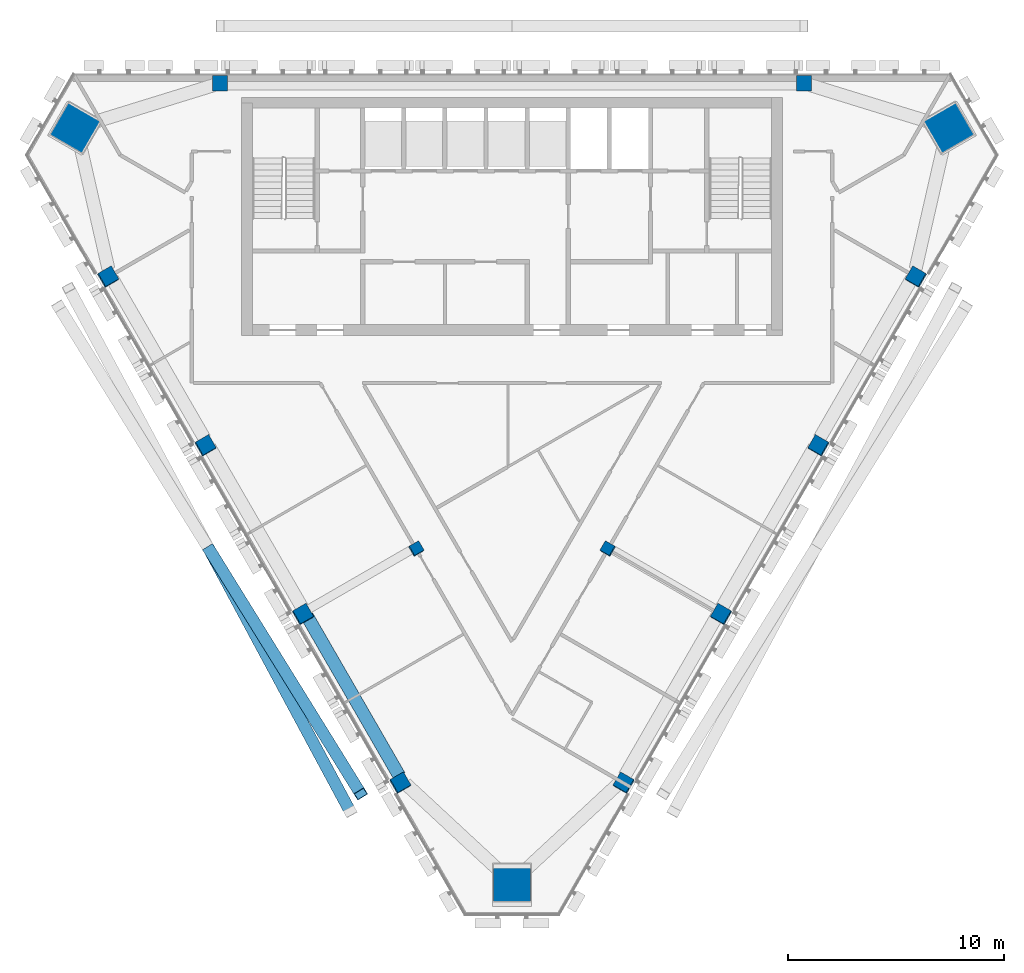
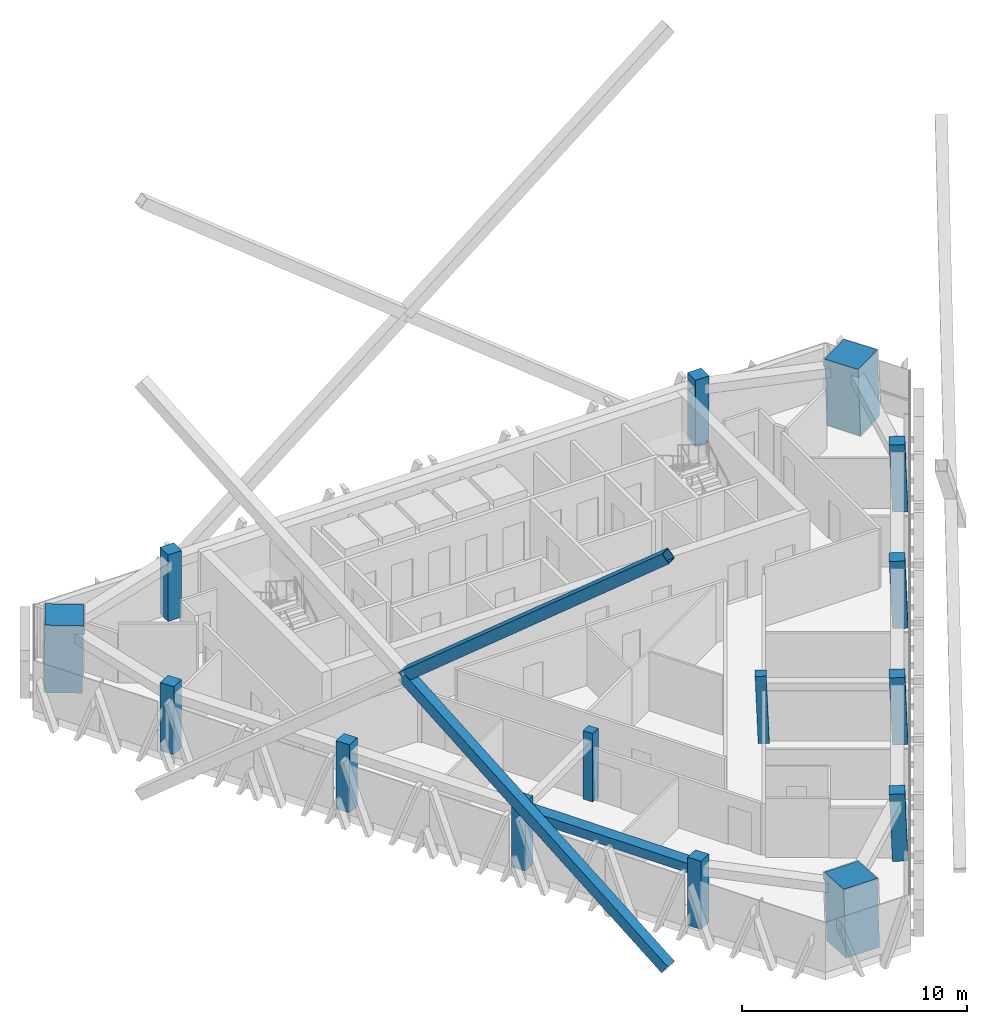
# One storey, part 1 of 12: 15 columns, 2 members, 1 beam.
"""IFC4 building model written with IfcOpenShell, lengths in metres."""

from ifc_helpers import new_model, si_unit, direction, frame, origin, origin_2d, place, context, subcontext, project, spatial, rectangle, hollow_rectangle, extrude, material, material_profile, profile_set, type_object, element, save


model = new_model("IFC4")

# Units and contexts
model_context = context("Model", 3, precision=1e-05, world=origin(), true_north=direction((0.0, 1.0)))
body_context = subcontext(model_context, "Body", "Model", "MODEL_VIEW")
ifc_project = project(units=[si_unit("LENGTHUNIT", "METRE"), si_unit("AREAUNIT", "SQUARE_METRE"), si_unit("VOLUMEUNIT", "CUBIC_METRE"), si_unit("PLANEANGLEUNIT", "RADIAN"), si_unit("MASSUNIT", "GRAM", prefix="KILO")], contexts=[model_context])

# Site, building, storey
site_placement = place(None, origin())
site = spatial("IfcSite", under=ifc_project, at=site_placement, CompositionType="ELEMENT")
building_placement = place(site_placement, origin())
building = spatial("IfcBuilding", under=site, at=building_placement, Name="Altiplano Prism Tower", CompositionType="ELEMENT")
storey_placement = place(building_placement, frame((0.0, 0.0, 291.39990234375)))
storey = spatial("IfcBuildingStorey", under=building, at=storey_placement, Name="L75", CompositionType="ELEMENT", Elevation=291.39990234375)

# Columns
ifc_material_1 = material(Name="Concrete C60/75", Category="concrete")
ifc_material_profile_1 = material_profile(ifc_material_1, rectangle(XDim=0.5, YDim=0.5, at=origin_2d()), Name="Inner column 500")
ifc_profile_set_1 = profile_set([ifc_material_profile_1], Name="Concrete C60/75")
column_type_1 = type_object("IfcColumnType", Name="Inner column 500", PredefinedType="COLUMN", material=ifc_profile_set_1)
for number, where, z_axis, x_axis, name in (
    (1, (80.567138671875, 83.02783203125, -0.01513671875), (0.02215369191, 0.038413282303, 0.999016333038), (-0.865361987983, -0.499673744646, 0.038402847096), "Inner column I13 L75"),
    (2, (89.432861328125, 83.02783203125, -0.01513671875), (-0.02215369191, 0.038413282303, 0.999016333038), (-0.500657411499, -0.865361524829, 0.022171776144), "Inner column I22 L75"),
):
    element("IfcColumn", number, at=place(storey_placement, frame(where, z_axis=z_axis, x_axis=x_axis)), inside=storey, type_object=column_type_1, Name=name, PredefinedType="COLUMN", context=body_context, shape_type="SweptSolid", body=[
        extrude(rectangle(XDim=0.5, YDim=0.5, at=origin_2d()), origin(), (0.0, 0.0, 1.0), 3.603759765625),
    ])
ifc_material_2 = material(Name="Concrete C70/85", Category="concrete")
ifc_material_profile_2 = material_profile(ifc_material_2, rectangle(XDim=1.719970703125, YDim=1.719970703125, at=origin_2d()), Name="Mega column infill 1800")
ifc_profile_set_2 = profile_set([ifc_material_profile_2], Name="Concrete C70/85")
column_type_2 = type_object("IfcColumnType", Name="Mega column infill 1800", PredefinedType="COLUMN", material=ifc_profile_set_2)
column_1_placement = place(storey_placement, frame((64.7626953125, 102.4677734375, 0.0), z_axis=(0.028334084323, 0.009218745139, 0.999555998633), x_axis=(-0.865481825265, 0.500544223539, 0.019917088604)))
element("IfcColumn", 3, at=column_1_placement, inside=storey, type_object=column_type_2, Name="Mega column M0 L75", PredefinedType="COLUMN", context=body_context, shape_type="SweptSolid", body=[
    extrude(rectangle(XDim=1.719970703125, YDim=1.719970703125, at=origin_2d()), origin(), (0.0, 0.0, 1.0), 3.601806640625),
])
column_2_placement = place(storey_placement, frame((85.0, 67.41552734375, 0.0), z_axis=(0.0, 0.058356907999, 0.998295783467), x_axis=(-1.0, 0.0, 0.0)))
element("IfcColumn", 4, at=column_2_placement, inside=storey, type_object=column_type_2, Name="Mega column M1 L75", PredefinedType="COLUMN", context=body_context, shape_type="SweptSolid", body=[
    extrude(rectangle(XDim=1.719970703125, YDim=1.719970703125, at=origin_2d()), origin(), (0.0, 0.0, 1.0), 3.606201171875),
])
column_3_placement = place(storey_placement, frame((105.2373046875, 102.4677734375, 0.0), z_axis=(-0.028334084323, 0.009218745139, 0.999555998633), x_axis=(0.500140863063, -0.865660441152, 0.022161175963)))
element("IfcColumn", 5, at=column_3_placement, inside=storey, type_object=column_type_2, Name="Mega column M2 L75", PredefinedType="COLUMN", context=body_context, shape_type="SweptSolid", body=[
    extrude(rectangle(XDim=1.719970703125, YDim=1.719970703125, at=origin_2d()), origin(), (0.0, 0.0, 1.0), 3.601806640625),
])
ifc_material_profile_3 = material_profile(ifc_material_1, rectangle(XDim=0.699951171875, YDim=0.699951171875, at=origin_2d()), Name="Perimeter column 700")
ifc_profile_set_3 = profile_set([ifc_material_profile_3], Name="Concrete C60/75")
column_type_3 = type_object("IfcColumnType", Name="Perimeter column 700", PredefinedType="COLUMN", material=ifc_profile_set_3)
for number, where, z_axis, x_axis, name in (
    (6, (98.5, 104.550048828125, 0.0), (0.0, 0.0, 1.0), (1.0, 0.0, 0.0), "Perimeter column P01 L75"),
    (7, (71.5, 104.550048828125, 0.0), (0.0, 0.0, 1.0), (1.0, 0.0, 0.0), "Perimeter column P04 L75"),
):
    element("IfcColumn", number, at=place(storey_placement, frame(where, z_axis=z_axis, x_axis=x_axis)), inside=storey, type_object=column_type_3, Name=name, PredefinedType="COLUMN", context=body_context, shape_type="SweptSolid", body=[
        extrude(rectangle(XDim=0.699951171875, YDim=0.699951171875, at=origin_2d()), origin(), (0.0, 0.0, 1.0), 3.60009765625),
    ])
for number, where, z_axis, x_axis, name in (
    (8, (66.327880859375, 95.591796875, 0.0), (0.022216970636, 0.038436722204, 0.999014026229), (-0.865846877157, -0.498829583864, 0.038447777287), "Perimeter column P11 L75"),
    (9, (70.827880859375, 87.797607421875, 0.0), (0.022216970636, 0.038436722204, 0.999014026229), (-0.865848438647, -0.498826878834, 0.038447707938), "Perimeter column P12 L75"),
    (10, (75.327880859375, 80.00341796875, 0.0), (0.022216970636, 0.038436722204, 0.999014026229), (-0.865845734386, -0.49883156352, 0.03844782804), "Perimeter column P13 L75"),
):
    element("IfcColumn", number, at=place(storey_placement, frame(where, z_axis=z_axis, x_axis=x_axis)), inside=storey, type_object=column_type_3, Name=name, PredefinedType="COLUMN", context=body_context, shape_type="SweptSolid", body=[
        extrude(rectangle(XDim=0.699951171875, YDim=0.699951171875, at=origin_2d()), origin(), (0.0, 0.0, 1.0), 3.582275390625),
    ])
for number, where, z_axis, x_axis, name in (
    (11, (79.827880859375, 72.208984375, 0.0), (0.022216912388, 0.03850477147, 0.999011407031), (-0.865463218872, -0.499491002638, 0.038498767027), "Perimeter column P14 L75"),
    (12, (90.172119140625, 72.208984375, 0.0), (-0.022216912388, 0.03850477147, 0.999011407031), (-0.500479595571, -0.865462951753, 0.022227315614), "Perimeter column P21 L75"),
):
    element("IfcColumn", number, at=place(storey_placement, frame(where, z_axis=z_axis, x_axis=x_axis)), inside=storey, type_object=column_type_3, Name=name, PredefinedType="COLUMN", context=body_context, shape_type="SweptSolid", body=[
        extrude(rectangle(XDim=0.699951171875, YDim=0.699951171875, at=origin_2d()), origin(), (0.0, 0.0, 1.0), 3.58251953125),
    ])
for number, where, z_axis, x_axis, name in (
    (13, (94.672119140625, 80.00341796875, 0.0), (-0.022216970636, 0.038436722204, 0.999014026229), (-0.499817537168, -0.865846227469, 0.022197745765), "Perimeter column P22 L75"),
    (14, (99.172119140625, 87.797607421875, 0.0), (-0.022216970636, 0.038436722204, 0.999014026229), (-0.499812852485, -0.865848926395, 0.022197953788), "Perimeter column P23 L75"),
    (15, (103.672119140625, 95.591796875, 0.0), (-0.022216970636, 0.038436722204, 0.999014026229), (-0.499815557513, -0.865847367986, 0.022197833672), "Perimeter column P24 L75"),
):
    element("IfcColumn", number, at=place(storey_placement, frame(where, z_axis=z_axis, x_axis=x_axis)), inside=storey, type_object=column_type_3, Name=name, PredefinedType="COLUMN", context=body_context, shape_type="SweptSolid", body=[
        extrude(rectangle(XDim=0.699951171875, YDim=0.699951171875, at=origin_2d()), origin(), (0.0, 0.0, 1.0), 3.582275390625),
    ])

# Beam
ifc_material_profile_4 = material_profile(ifc_material_1, rectangle(XDim=0.60009765625, YDim=0.5, at=origin_2d()), Name="Edge beam 600x500")
ifc_profile_set_4 = profile_set([ifc_material_profile_4], Name="Concrete C60/75")
beam_type = type_object("IfcBeamType", Name="Edge beam 600x500", PredefinedType="SPANDREL", material=ifc_profile_set_4)
beam_placement = place(storey_placement, frame((75.52294921875, 79.942626953125, 2.9501953125), z_axis=(0.500007039007, -0.866021339774, 0.0), x_axis=(0.866021339774, 0.500007039007, 0.0)))
element("IfcBeam", 16, at=beam_placement, inside=storey, type_object=beam_type, Name="Edge beam P13-P14 L76", PredefinedType="SPANDREL", context=body_context, shape_type="SweptSolid", body=[
    extrude(rectangle(XDim=0.60009765625, YDim=0.5, at=origin_2d()), origin(), (0.0, 0.0, 1.0), 8.5400390625),
])

# Members
ifc_material_3 = material(Name="Steel S355", Category="steel")
ifc_material_profile_5 = material_profile(ifc_material_3, hollow_rectangle(XDim=0.550048828125, YDim=0.550048828125, WallThickness=0.030029296875, at=origin_2d()), Name="Mega brace Box 550x550x30")
ifc_profile_set_5 = profile_set([ifc_material_profile_5], Name="Steel S355")
member_type = type_object("IfcMemberType", Name="Mega brace Box 550x550x30", PredefinedType="BRACE", material=ifc_profile_set_5)
member_1_placement = place(storey_placement, frame((71.02294921875, 82.990966796875, 10.050048828125), z_axis=(0.408610022023, -0.659133591811, 0.631332525733), x_axis=(0.849933184378, 0.526890483965, 0.0)))
element("IfcMember", 17, at=member_1_placement, inside=storey, type_object=member_type, Name="Mega brace 8.1.2", PredefinedType="BRACE", context=body_context, shape_type="SweptSolid", body=[
    extrude(hollow_rectangle(XDim=0.550048828125, YDim=0.550048828125, WallThickness=0.030029296875, at=origin_2d()), origin(), (0.0, 0.0, 1.0), 17.106689453125),
])
member_2_placement = place(storey_placement, frame((77.521728515625, 70.90478515625, -0.7314453125), z_axis=(-0.372393511186, 0.692563235706, 0.617801940249), x_axis=(-0.88074972976, -0.473582002959, 0.0)))
element("IfcMember", 18, at=member_2_placement, inside=storey, type_object=member_type, Name="Mega brace 8.1.3", PredefinedType="BRACE", context=body_context, shape_type="SweptSolid", body=[
    extrude(hollow_rectangle(XDim=0.550048828125, YDim=0.550048828125, WallThickness=0.030029296875, at=origin_2d()), origin(), (0.0, 0.0, 1.0), 17.451416015625),
])

save(model, "model.ifc")
